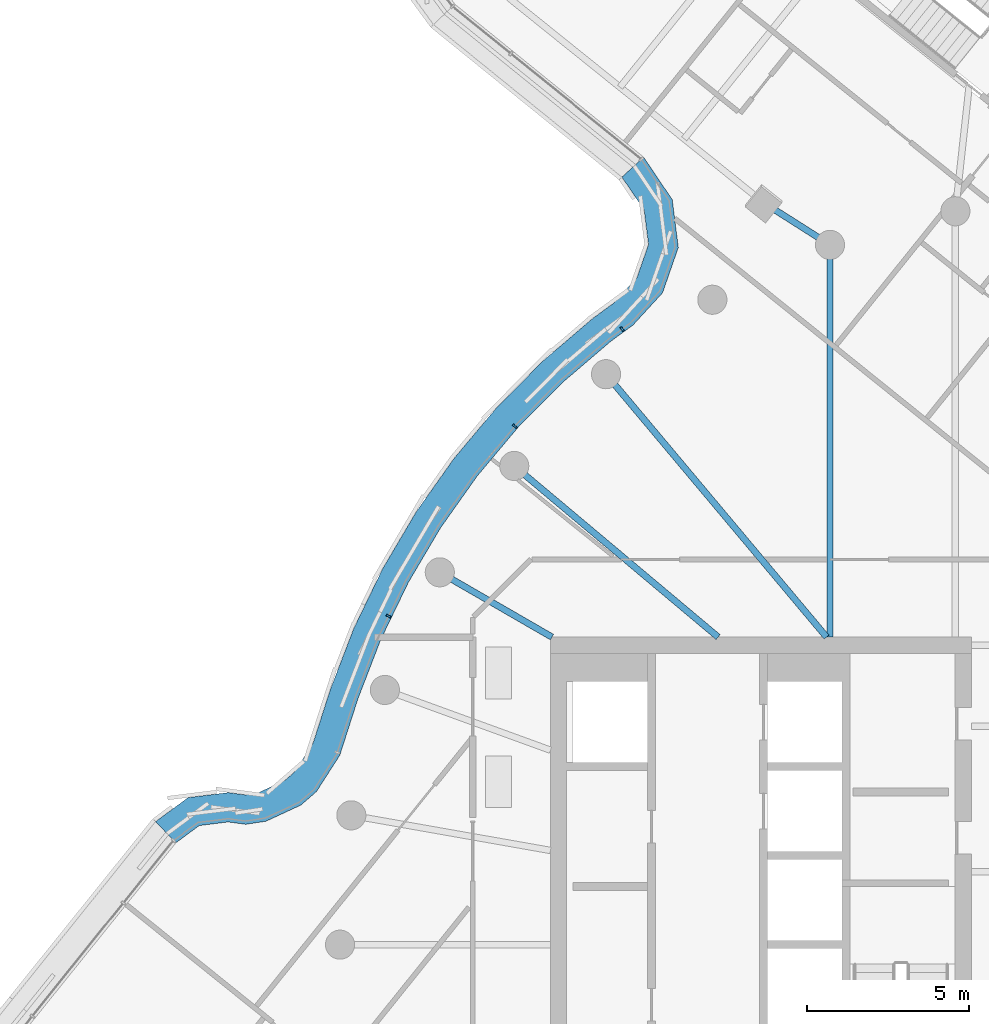
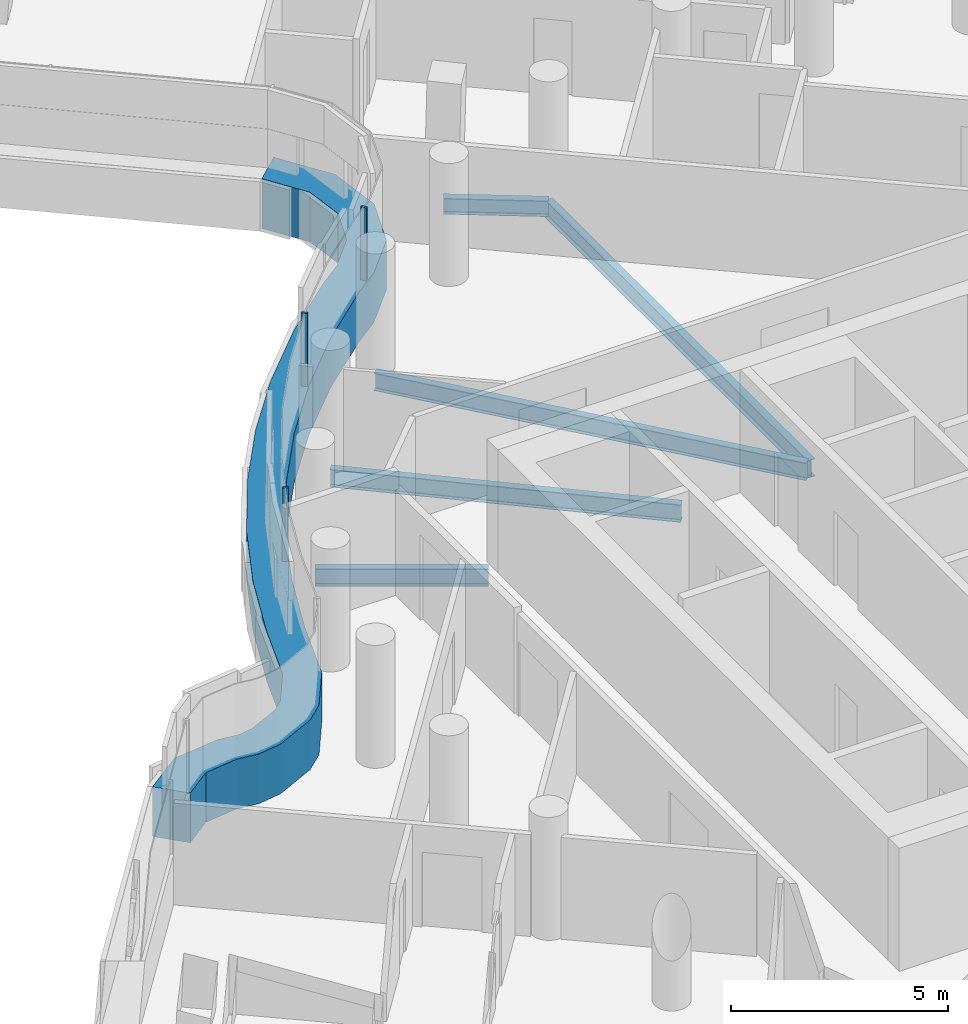
# One storey, part 7 of 25: 5 beams, 4 members, 1 element without a shape of its own.
"""IFC4 building model written with IfcOpenShell, lengths in metres."""

from ifc_helpers import new_model, si_unit, direction, frame, origin, origin_2d, place, context, subcontext, project, spatial, polyline, rectangle, i_section, outline, extrude, material, layer, layer_set, material_profile, profile_set, type_object, element, aggregate, save


model = new_model("IFC4")

# Units and contexts
model_context = context("Model", 3, precision=1e-05, world=origin(), true_north=direction((0.0, 1.0)))
body_context = subcontext(model_context, "Body", "Model", "MODEL_VIEW")
ifc_project = project(units=[si_unit("LENGTHUNIT", "METRE"), si_unit("AREAUNIT", "SQUARE_METRE"), si_unit("VOLUMEUNIT", "CUBIC_METRE"), si_unit("PLANEANGLEUNIT", "RADIAN"), si_unit("MASSUNIT", "GRAM", prefix="KILO")], contexts=[model_context])

# Site, building, storey
site_placement = place(None, origin())
site = spatial("IfcSite", under=ifc_project, at=site_placement, CompositionType="ELEMENT")
building_placement = place(site_placement, origin())
building = spatial("IfcBuilding", under=site, at=building_placement, Name="Tamarind Cross Interchange Tower", CompositionType="ELEMENT")
storey_placement = place(building_placement, frame((0.0, 0.0, 219.89990234375)))
storey = spatial("IfcBuildingStorey", under=building, at=storey_placement, Name="L55", CompositionType="ELEMENT", Elevation=219.89990234375)

# Beams
ifc_material_1 = material(Name="Steel Q355B", Category="steel")
ifc_material_profile_1 = material_profile(ifc_material_1, i_section(OverallWidth=0.198974609375, OverallDepth=0.446044921875, WebThickness=0.008056640625, FlangeThickness=0.011962890625, FilletRadius=0.012939453125, at=origin_2d()), Name="HN 446x199x8x12")
ifc_profile_set_1 = profile_set([ifc_material_profile_1], Name="Steel Q355B")
beam_type_1 = type_object("IfcBeamType", Name="Composite beam HN 446x199x8x12 Q355B", PredefinedType="BEAM", material=ifc_profile_set_1)
beam_1_placement = place(storey_placement, frame((-9.914794921875, 22.915283203125, -0.36279296875), z_axis=(0.843893342113, -0.536510975784, 0.0), x_axis=(0.536510975784, 0.843893342113, 0.0)))
element("IfcBeam", 1, at=beam_1_placement, inside=storey, type_object=beam_type_1, Name="Beam N-linkep", PredefinedType="BEAM", context=body_context, shape_type="SweptSolid", body=[
    extrude(i_section(OverallWidth=0.198974609375, OverallDepth=0.446044921875, WebThickness=0.008056640625, FlangeThickness=0.011962890625, FilletRadius=0.012939453125, at=origin_2d()), origin(), (0.0, 0.0, 1.0), 2.42724609375),
])
ifc_material_profile_2 = material_profile(ifc_material_1, i_section(OverallWidth=0.198974609375, OverallDepth=0.49609375, WebThickness=0.009033203125, FlangeThickness=0.013916015625, FilletRadius=0.012939453125, at=origin_2d()), Name="HN 496x199x9x14")
ifc_profile_set_2 = profile_set([ifc_material_profile_2], Name="Steel Q355B")
beam_type_2 = type_object("IfcBeamType", Name="Composite beam HN 496x199x9x14 Q355B", PredefinedType="BEAM", material=ifc_profile_set_2)
beam_2_placement = place(storey_placement, frame((-7.866455078125, 21.613037109375, -0.387939453125), z_axis=(0.0, -1.0, 0.0), x_axis=(1.0, 0.0, 0.0)))
element("IfcBeam", 2, at=beam_2_placement, inside=storey, type_object=beam_type_2, Name="Beam HH11", PredefinedType="BEAM", context=body_context, shape_type="SweptSolid", body=[
    extrude(i_section(OverallWidth=0.198974609375, OverallDepth=0.49609375, WebThickness=0.009033203125, FlangeThickness=0.013916015625, FilletRadius=0.012939453125, at=origin_2d()), origin(), (0.0, 0.0, 1.0), 12.113037109375),
])
beam_3_placement = place(storey_placement, frame((-14.7841796875, 17.619140625, -0.387939453125), z_axis=(0.642786293979, -0.766045547127, 0.0), x_axis=(0.766045547127, 0.642786293979, 0.0)))
element("IfcBeam", 3, at=beam_3_placement, inside=storey, type_object=beam_type_2, Name="Beam HH13", PredefinedType="BEAM", context=body_context, shape_type="SweptSolid", body=[
    extrude(i_section(OverallWidth=0.198974609375, OverallDepth=0.49609375, WebThickness=0.009033203125, FlangeThickness=0.013916015625, FilletRadius=0.012939453125, at=origin_2d()), origin(), (0.0, 0.0, 1.0), 10.598876953125),
])
beam_4_placement = place(storey_placement, frame((-17.619140625, 14.7841796875, -0.387939453125), z_axis=(0.766040580814, -0.642792212574, 0.0), x_axis=(0.642792212574, 0.766040580814, 0.0)))
element("IfcBeam", 4, at=beam_4_placement, inside=storey, type_object=beam_type_2, Name="Beam HH14", PredefinedType="BEAM", context=body_context, shape_type="SweptSolid", body=[
    extrude(i_section(OverallWidth=0.198974609375, OverallDepth=0.49609375, WebThickness=0.009033203125, FlangeThickness=0.013916015625, FilletRadius=0.012939453125, at=origin_2d()), origin(), (0.0, 0.0, 1.0), 8.220703125),
])
beam_5_placement = place(storey_placement, frame((-19.918701171875, 11.5, -0.387939453125), z_axis=(0.866026010844, -0.49999894854, 0.0), x_axis=(0.49999894854, 0.866026010844, 0.0)))
element("IfcBeam", 5, at=beam_5_placement, inside=storey, type_object=beam_type_2, Name="Beam HH15", PredefinedType="BEAM", context=body_context, shape_type="SweptSolid", body=[
    extrude(i_section(OverallWidth=0.198974609375, OverallDepth=0.49609375, WebThickness=0.009033203125, FlangeThickness=0.013916015625, FilletRadius=0.012939453125, at=origin_2d()), origin(), (0.0, 0.0, 1.0), 4.0),
])

# Curtain wall, members
ifc_material_2 = material(Name="Aluminium 6063-T6", Category="aluminium")
ifc_layer = layer(ifc_material_2, 0.14990234375)
ifc_layer_set = layer_set([ifc_layer], Name="Aluminium 6063-T6")
curtain_wall_type = type_object("IfcCurtainWallType", Name="Winter garden and crown curtain wall", PredefinedType="NOTDEFINED", material=ifc_layer_set)
curtain_wall_placement = place(storey_placement, origin())
curtain_wall = element("IfcCurtainWall", 6, at=curtain_wall_placement, inside=storey, type_object=curtain_wall_type, Name="CWS-L55-06", PredefinedType="NOTDEFINED")
ifc_material_3 = material(Name="Aluminium and insulated spandrel panel", Category="aluminium")
member_type_1 = type_object("IfcMemberType", Name="Floor-edge blade transom", PredefinedType="USERDEFINED", material=ifc_material_3)
member_1_placement = place(storey_placement, origin())
member_1 = element("IfcMember", 7, at=member_1_placement, type_object=member_type_1, Name="CWT-L55-06", ObjectType="TRANSOM", PredefinedType="USERDEFINED", context=body_context, shape_type="SweptSolid", body=[
    extrude(outline(polyline([(-13.62255859375, 24.322998046875), (-12.738525390625, 23.01025390625), (-12.551513671875, 21.529541015625), (-13.039794921875, 20.129150390625), (-13.947021484375, 19.13818359375), (-14.6337890625, 18.636962890625), (-16.12353515625, 17.3642578125), (-17.50244140625, 15.973388671875), (-18.76171875, 14.4736328125), (-19.892822265625, 12.874755859375), (-20.88818359375, 11.188232421875), (-21.74072265625, 9.425048828125), (-22.446044921875, 7.59375), (-23.00927734375, 5.843505859375), (-23.729248046875, 4.72509765625), (-24.206298828125, 4.310302734375), (-25.286865234375, 3.810791015625), (-25.912109375, 3.71630859375), (-26.45703125, 3.7890625), (-27.34765625, 3.677978515625), (-28.069091796875, 3.144287109375), (-28.69775390625, 3.798583984375), (-27.693115234375, 4.5419921875), (-26.452880859375, 4.696533203125), (-25.919921875, 4.625244140625), (-25.54833984375, 4.681640625), (-24.700439453125, 5.073486328125), (-24.416748046875, 5.3203125), (-23.829833984375, 6.2314453125), (-23.295166015625, 7.8935546875), (-22.567138671875, 9.783203125), (-21.68212890625, 11.613525390625), (-20.64892578125, 13.3642578125), (-19.474853515625, 15.023681640625), (-18.167724609375, 16.580810546875), (-16.736572265625, 18.0244140625), (-15.192138671875, 19.34375), (-14.55029296875, 19.81201171875), (-13.82861328125, 20.600341796875), (-13.470947265625, 21.626220703125), (-13.6044921875, 22.68505859375), (-14.2939453125, 23.70849609375), (-13.62255859375, 24.322998046875)])), origin(), (0.0, 0.0, 1.0), 1.400146484375),
])
ifc_material_profile_3 = material_profile(ifc_material_2, rectangle(XDim=0.06005859375, YDim=0.14990234375, at=origin_2d()), Name="Mullion CW6")
ifc_profile_set_3 = profile_set([ifc_material_profile_3], Name="Aluminium 6063-T6")
member_type_2 = type_object("IfcMemberType", Name="Mullion CW6", PredefinedType="MULLION", material=ifc_profile_set_3)
member_2_placement = place(storey_placement, frame((-14.287109375, 19.013671875, 1.400146484375), z_axis=(0.0, 0.0, 1.0), x_axis=(-0.807842579022, -0.589398309735, 0.0)))
member_2 = element("IfcMember", 8, at=member_2_placement, type_object=member_type_2, Name="CWM-L55-06-01", PredefinedType="MULLION", context=body_context, shape_type="SweptSolid", body=[
    extrude(rectangle(XDim=0.06005859375, YDim=0.14990234375, at=origin_2d()), origin(), (0.0, 0.0, 1.0), 2.06005859375),
])
member_3_placement = place(storey_placement, frame((-17.601318359375, 16.01123046875, 1.400146484375), z_axis=(0.0, 0.0, 1.0), x_axis=(-0.643009266048, -0.765858396687, 0.0)))
member_3 = element("IfcMember", 9, at=member_3_placement, type_object=member_type_2, Name="CWM-L55-06-02", PredefinedType="MULLION", context=body_context, shape_type="SweptSolid", body=[
    extrude(rectangle(XDim=0.06005859375, YDim=0.14990234375, at=origin_2d()), origin(), (0.0, 0.0, 1.0), 2.06005859375),
])
member_4_placement = place(storey_placement, frame((-21.5029296875, 10.146484375, 1.400146484375), z_axis=(0.0, 0.0, 1.0), x_axis=(-0.435326231914, -0.900272776334, 0.0)))
member_4 = element("IfcMember", 10, at=member_4_placement, type_object=member_type_2, Name="CWM-L55-06-03", PredefinedType="MULLION", context=body_context, shape_type="SweptSolid", body=[
    extrude(rectangle(XDim=0.06005859375, YDim=0.14990234375, at=origin_2d()), origin(), (0.0, 0.0, 1.0), 2.06005859375),
])
aggregate(curtain_wall, [member_2, member_3, member_4, member_1])

save(model, "model.ifc")
